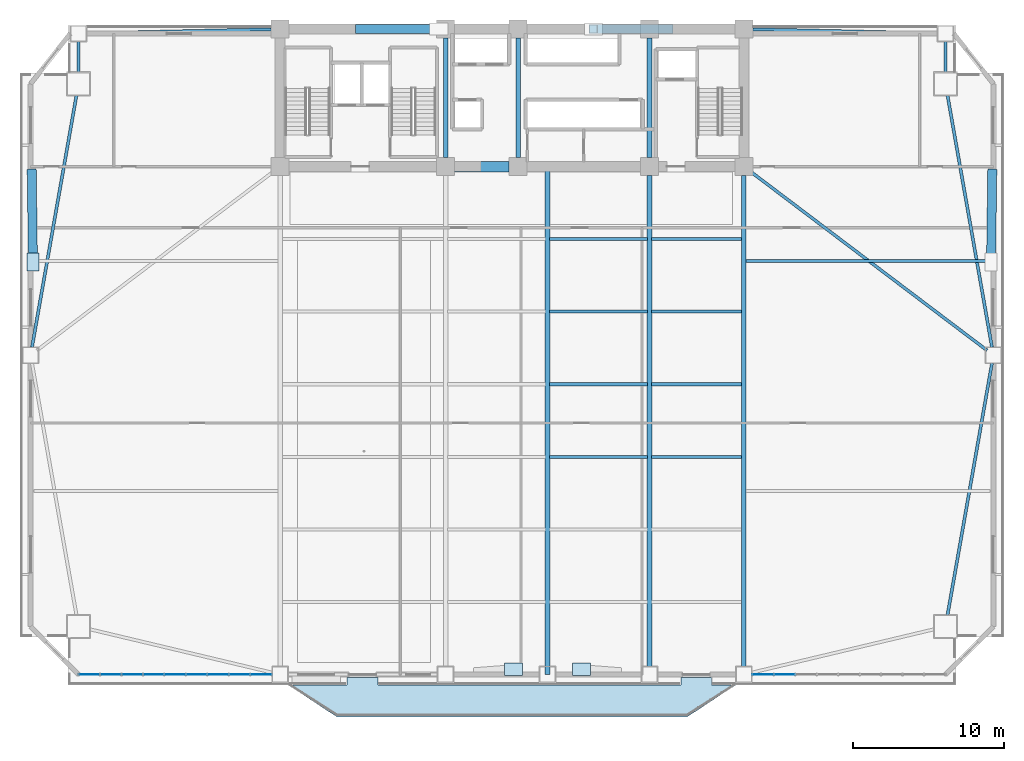
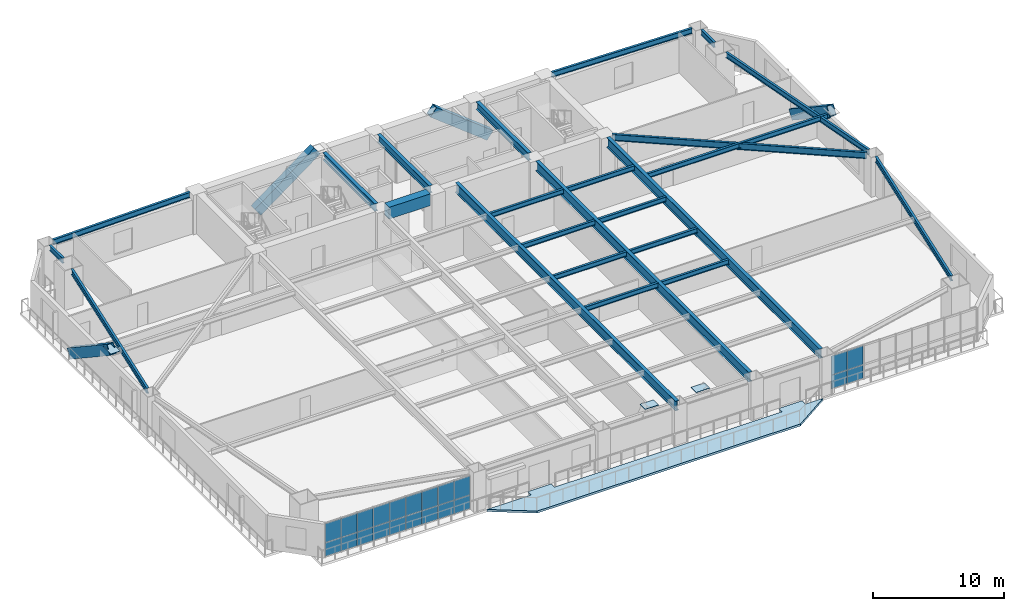
# One storey, part 7 of 17: 25 plates, 24 beams, 4 members, 1 slab, 2 elements without a shape of their own.
"""IFC4 building model written with IfcOpenShell, lengths in metres."""

from ifc_helpers import new_model, si_unit, direction, frame, origin, origin_2d, place, context, subcontext, project, spatial, polyline, rectangle, hollow_rectangle, i_section, outline, extrude, source, transform, mapped, material, layer, layer_set, material_profile, profile_set, type_object, element, aggregate, save


model = new_model("IFC4")

# Units and contexts
model_context = context("Model", 3, precision=1e-05, world=origin(), true_north=direction((0.0, 1.0)))
body_context = subcontext(model_context, "Body", "Model", "MODEL_VIEW")
ifc_project = project(units=[si_unit("LENGTHUNIT", "METRE"), si_unit("AREAUNIT", "SQUARE_METRE"), si_unit("VOLUMEUNIT", "CUBIC_METRE"), si_unit("PLANEANGLEUNIT", "RADIAN"), si_unit("MASSUNIT", "GRAM", prefix="KILO")], contexts=[model_context])

# Site, building, storey
site_placement = place(None, origin())
site = spatial("IfcSite", under=ifc_project, at=site_placement, CompositionType="ELEMENT")
building_placement = place(site_placement, origin())
building = spatial("IfcBuilding", under=site, at=building_placement, Name="Giltprow Tower", CompositionType="ELEMENT")
storey_placement = place(building_placement, frame((0.0, 0.0, 41.0)))
storey = spatial("IfcBuildingStorey", under=building, at=storey_placement, Name="L10", CompositionType="ELEMENT", Elevation=41.0)

# Beams
ifc_material_1 = material(Name="Concrete C60", Category="concrete")
ifc_material_profile_1 = material_profile(ifc_material_1, rectangle(XDim=0.699951171875, YDim=1.10009765625, at=origin_2d()), Name="RC 1100x700")
ifc_profile_set_1 = profile_set([ifc_material_profile_1], Name="Concrete C60")
beam_type_1 = type_object("IfcBeamType", Name="BM-CPL-RC1100", PredefinedType="LINTEL", material=ifc_profile_set_1)
shared_shape_1 = source(origin(), body_context, "Body", "SweptSolid", [
    extrude(rectangle(XDim=0.699951171875, YDim=1.10009765625, at=origin_2d()), origin(), (0.0, 0.0, 1.0), 3.6298828125),
])
beam_1_placement = place(storey_placement, frame((31.385009765625, 37.449951171875, 3.1298828125), z_axis=(1.0, 0.0, 0.0), x_axis=(0.0, 1.0, 0.0)))
element("IfcBeam", 1, at=beam_1_placement, inside=storey, type_object=beam_type_1, Name="L10 Core Coupling Beam CB-1", PredefinedType="LINTEL", context=body_context, shape_type="MappedRepresentation", body=[
    mapped(shared_shape_1, transform((0.0, 0.0, 0.0), x_axis=(1.0, 0.0, 0.0), y_axis=(0.0, 1.0, 0.0), z_axis=(0.0, 0.0, 1.0), scale=1.0)),
])
ifc_material_2 = material(Name="Structural steel Q355B", Category="steel")
ifc_material_profile_2 = material_profile(ifc_material_2, i_section(OverallWidth=0.300048828125, OverallDepth=0.699951171875, WebThickness=0.012939453125, FlangeThickness=0.02392578125, at=origin_2d()), Name="HN 700x300x13x24")
ifc_profile_set_2 = profile_set([ifc_material_profile_2], Name="Structural steel Q355B")
beam_type_2 = type_object("IfcBeamType", Name="BM-GIRD-HN700", PredefinedType="BEAM", material=ifc_profile_set_2)
shared_shape_2 = source(origin(), body_context, "Body", "SweptSolid", [
    extrude(i_section(OverallWidth=0.300048828125, OverallDepth=0.699951171875, WebThickness=0.012939453125, FlangeThickness=0.02392578125, at=origin_2d()), origin(), (0.0, 0.0, 1.0), 7.93017578125),
])
for number, where, z_axis, x_axis, name in (
    (2, (30.800048828125, 38.034912109375, 3.330078125), (0.0, 1.0, 0.0), (-1.0, 0.0, 0.0), "L10 Core Tie Girder M1"),
    (3, (35.60009765625, 38.034912109375, 3.330078125), (0.0, 1.0, 0.0), (-1.0, 0.0, 0.0), "L10 Core Tie Girder M2"),
    (4, (44.300048828125, 38.034912109375, 3.330078125), (0.0, 1.0, 0.0), (-1.0, 0.0, 0.0), "L10 Core Tie Girder M3"),
):
    element("IfcBeam", number, at=place(storey_placement, frame(where, z_axis=z_axis, x_axis=x_axis)), inside=storey, type_object=beam_type_2, Name=name, PredefinedType="BEAM", context=body_context, shape_type="MappedRepresentation", body=[
        mapped(shared_shape_2, transform((0.0, 0.0, 0.0), x_axis=(1.0, 0.0, 0.0), y_axis=(0.0, 1.0, 0.0), z_axis=(0.0, 0.0, 1.0), scale=1.0)),
    ])
ifc_material_profile_3 = material_profile(ifc_material_2, i_section(OverallWidth=0.199951171875, OverallDepth=0.449951171875, WebThickness=0.009033203125, FlangeThickness=0.013916015625, at=origin_2d()), Name="HN 450x200x9x14")
ifc_profile_set_3 = profile_set([ifc_material_profile_3], Name="Structural steel Q355B")
beam_type_3 = type_object("IfcBeamType", Name="BM-JOIST-HN450", PredefinedType="JOIST", material=ifc_profile_set_3)
shared_shape_3 = source(origin(), body_context, "Body", "SweptSolid", [
    extrude(i_section(OverallWidth=0.199951171875, OverallDepth=0.449951171875, WebThickness=0.009033203125, FlangeThickness=0.013916015625, at=origin_2d()), origin(), (0.0, 0.0, 1.0), 6.4599609375),
])
for number, where, z_axis, x_axis, name in (
    (5, (37.695068359375, 18.237060546875, 3.455078125), (1.0, 0.0, 0.0), (0.0, 1.0, 0.0), "L10 Composite Floor Joist 3-3"),
    (6, (37.695068359375, 23.0400390625, 3.455078125), (1.0, 0.0, 0.0), (0.0, 1.0, 0.0), "L10 Composite Floor Joist 4-3"),
    (7, (37.695068359375, 27.843017578125, 3.455078125), (1.0, 0.0, 0.0), (0.0, 1.0, 0.0), "L10 Composite Floor Joist 5-3"),
    (8, (37.695068359375, 32.64697265625, 3.455078125), (1.0, 0.0, 0.0), (0.0, 1.0, 0.0), "L10 Composite Floor Joist 6-3"),
):
    element("IfcBeam", number, at=place(storey_placement, frame(where, z_axis=z_axis, x_axis=x_axis)), inside=storey, type_object=beam_type_3, Name=name, PredefinedType="JOIST", context=body_context, shape_type="MappedRepresentation", body=[
        mapped(shared_shape_3, transform((0.0, 0.0, 0.0), x_axis=(1.0, 0.0, 0.0), y_axis=(0.0, 1.0, 0.0), z_axis=(0.0, 0.0, 1.0), scale=1.0)),
    ])
shared_shape_4 = source(origin(), body_context, "Body", "SweptSolid", [
    extrude(i_section(OverallWidth=0.199951171875, OverallDepth=0.449951171875, WebThickness=0.009033203125, FlangeThickness=0.013916015625, at=origin_2d()), origin(), (0.0, 0.0, 1.0), 5.9599609375),
])
for number, where, z_axis, x_axis, name in (
    (9, (44.445068359375, 18.237060546875, 3.455078125), (1.0, 0.0, 0.0), (0.0, 1.0, 0.0), "L10 Composite Floor Joist 3-4"),
    (10, (44.445068359375, 23.0400390625, 3.455078125), (1.0, 0.0, 0.0), (0.0, 1.0, 0.0), "L10 Composite Floor Joist 4-4"),
    (11, (44.445068359375, 27.843017578125, 3.455078125), (1.0, 0.0, 0.0), (0.0, 1.0, 0.0), "L10 Composite Floor Joist 5-4"),
    (12, (44.445068359375, 32.64697265625, 3.455078125), (1.0, 0.0, 0.0), (0.0, 1.0, 0.0), "L10 Composite Floor Joist 6-4"),
):
    element("IfcBeam", number, at=place(storey_placement, frame(where, z_axis=z_axis, x_axis=x_axis)), inside=storey, type_object=beam_type_3, Name=name, PredefinedType="JOIST", context=body_context, shape_type="MappedRepresentation", body=[
        mapped(shared_shape_4, transform((0.0, 0.0, 0.0), x_axis=(1.0, 0.0, 0.0), y_axis=(0.0, 1.0, 0.0), z_axis=(0.0, 0.0, 1.0), scale=1.0)),
    ])
ifc_material_profile_4 = material_profile(ifc_material_2, i_section(OverallWidth=0.199951171875, OverallDepth=0.5, WebThickness=0.010009765625, FlangeThickness=0.01611328125, at=origin_2d()), Name="HN 500x200x10x16")
ifc_profile_set_4 = profile_set([ifc_material_profile_4], Name="Structural steel Q355B")
beam_type_4 = type_object("IfcBeamType", Name="BM-SPAN-HN500", PredefinedType="SPANDREL", material=ifc_profile_set_4)
shared_shape_5 = source(origin(), body_context, "Body", "SweptSolid", [
    extrude(i_section(OverallWidth=0.199951171875, OverallDepth=0.5, WebThickness=0.010009765625, FlangeThickness=0.01611328125, at=origin_2d()), origin(), (0.0, 0.0, 1.0), 16.920166015625),
])
beam_2_placement = place(storey_placement, frame((64.028076171875, 7.77392578125, 3.429931640625), z_axis=(0.173984527619, 0.984748386213, 0.0), x_axis=(-0.984748386213, 0.173984527619, 0.0)))
element("IfcBeam", 13, at=beam_2_placement, inside=storey, type_object=beam_type_4, Name="L10 Perimeter Spandrel Beam MC_SE-E_MID", PredefinedType="SPANDREL", context=body_context, shape_type="MappedRepresentation", body=[
    mapped(shared_shape_5, transform((0.0, 0.0, 0.0), x_axis=(1.0, 0.0, 0.0), y_axis=(0.0, 1.0, 0.0), z_axis=(0.0, 0.0, 1.0), scale=1.0)),
])
shared_shape_6 = source(origin(), body_context, "Body", "SweptSolid", [
    extrude(i_section(OverallWidth=0.199951171875, OverallDepth=0.5, WebThickness=0.010009765625, FlangeThickness=0.01611328125, at=origin_2d()), origin(), (0.0, 0.0, 1.0), 16.921142578125),
])
for number, where, z_axis, x_axis, name in (
    (14, (66.971923828125, 25.489990234375, 3.429931640625), (-0.173974639654, 0.984750133159, 0.0), (-0.984750133159, -0.173974639654, 0.0), "L10 Perimeter Spandrel Beam E_MID-MC_NE"),
    (15, (6.3720703125, 42.153076171875, 3.429931640625), (-0.173988631052, -0.984747661213, 0.0), (0.984747661213, -0.173988631052, 0.0), "L10 Perimeter Spandrel Beam MC_NW-W_MID"),
):
    element("IfcBeam", number, at=place(storey_placement, frame(where, z_axis=z_axis, x_axis=x_axis)), inside=storey, type_object=beam_type_4, Name=name, PredefinedType="SPANDREL", context=body_context, shape_type="MappedRepresentation", body=[
        mapped(shared_shape_6, transform((0.0, 0.0, 0.0), x_axis=(1.0, 0.0, 0.0), y_axis=(0.0, 1.0, 0.0), z_axis=(0.0, 0.0, 1.0), scale=1.0)),
    ])
shared_shape_7 = source(origin(), body_context, "Body", "SweptSolid", [
    extrude(i_section(OverallWidth=0.199951171875, OverallDepth=0.5, WebThickness=0.010009765625, FlangeThickness=0.01611328125, at=origin_2d()), origin(), (0.0, 0.0, 1.0), 2.004150390625),
])
for number, where, z_axis, x_axis, name in (
    (16, (63.89111328125, 43.7109375, 3.429931640625), (0.0, 1.0, 0.0), (-1.0, 0.0, 0.0), "L10 Perimeter Spandrel Beam MC_NE-N_E"),
    (17, (6.509033203125, 45.715087890625, 3.429931640625), (0.0, -1.0, 0.0), (1.0, 0.0, 0.0), "L10 Perimeter Spandrel Beam N_W-MC_NW"),
):
    element("IfcBeam", number, at=place(storey_placement, frame(where, z_axis=z_axis, x_axis=x_axis)), inside=storey, type_object=beam_type_4, Name=name, PredefinedType="SPANDREL", context=body_context, shape_type="MappedRepresentation", body=[
        mapped(shared_shape_7, transform((0.0, 0.0, 0.0), x_axis=(1.0, 0.0, 0.0), y_axis=(0.0, 1.0, 0.0), z_axis=(0.0, 0.0, 1.0), scale=1.0)),
    ])
shared_shape_8 = source(origin(), body_context, "Body", "SweptSolid", [
    extrude(i_section(OverallWidth=0.199951171875, OverallDepth=0.5, WebThickness=0.010009765625, FlangeThickness=0.01611328125, at=origin_2d()), origin(), (0.0, 0.0, 1.0), 12.22412109375),
])
for number, where, z_axis, x_axis, name in (
    (18, (7.0439453125, 46.261962890625, 3.429931640625), (0.999746648703, 0.022508629624, 0.0), (-0.022508629624, 0.999746648703, 0.0), "L10 North Wing Spandrel W"),
    (19, (51.135009765625, 46.537109375, 3.429931640625), (0.999746648703, -0.022508629624, 0.0), (0.022508629624, 0.999746648703, 0.0), "L10 North Wing Spandrel E"),
):
    element("IfcBeam", number, at=place(storey_placement, frame(where, z_axis=z_axis, x_axis=x_axis)), inside=storey, type_object=beam_type_4, Name=name, PredefinedType="SPANDREL", context=body_context, shape_type="MappedRepresentation", body=[
        mapped(shared_shape_8, transform((0.0, 0.0, 0.0), x_axis=(1.0, 0.0, 0.0), y_axis=(0.0, 1.0, 0.0), z_axis=(0.0, 0.0, 1.0), scale=1.0)),
    ])
ifc_material_profile_5 = material_profile(ifc_material_2, i_section(OverallWidth=0.300048828125, OverallDepth=0.89990234375, WebThickness=0.01611328125, FlangeThickness=0.028076171875, at=origin_2d()), Name="HN 900x300x16x28")
ifc_profile_set_5 = profile_set([ifc_material_profile_5], Name="Structural steel Q355B")
beam_type_5 = type_object("IfcBeamType", Name="BM-GIRD-HN900", PredefinedType="BEAM", material=ifc_profile_set_5)
shared_shape_9 = source(origin(), body_context, "Body", "SweptSolid", [
    extrude(i_section(OverallWidth=0.300048828125, OverallDepth=0.89990234375, WebThickness=0.01611328125, FlangeThickness=0.028076171875, at=origin_2d()), origin(), (0.0, 0.0, 1.0), 32.5029296875),
])
for number, where, z_axis, x_axis, name in (
    (20, (44.300048828125, 4.362060546875, 3.22998046875), (0.0, 1.0, 0.0), (-1.0, 0.0, 0.0), "L10 Primary Lease Girder S3"),
    (21, (50.550048828125, 4.362060546875, 3.22998046875), (0.0, 1.0, 0.0), (-1.0, 0.0, 0.0), "L10 Primary Lease Girder S4"),
):
    element("IfcBeam", number, at=place(storey_placement, frame(where, z_axis=z_axis, x_axis=x_axis)), inside=storey, type_object=beam_type_5, Name=name, PredefinedType="BEAM", context=body_context, shape_type="MappedRepresentation", body=[
        mapped(shared_shape_9, transform((0.0, 0.0, 0.0), x_axis=(1.0, 0.0, 0.0), y_axis=(0.0, 1.0, 0.0), z_axis=(0.0, 0.0, 1.0), scale=1.0)),
    ])
shared_shape_10 = source(origin(), body_context, "Body", "SweptSolid", [
    extrude(i_section(OverallWidth=0.300048828125, OverallDepth=0.89990234375, WebThickness=0.01611328125, FlangeThickness=0.028076171875, at=origin_2d()), origin(), (0.0, 0.0, 1.0), 33.623046875),
])
beam_3_placement = place(storey_placement, frame((37.550048828125, 3.826904296875, 3.22998046875), z_axis=(0.0, 1.0, 0.0), x_axis=(-1.0, 0.0, 0.0)))
element("IfcBeam", 22, at=beam_3_placement, inside=storey, type_object=beam_type_5, Name="L10 Central Lease Girder SMID", PredefinedType="BEAM", context=body_context, shape_type="MappedRepresentation", body=[
    mapped(shared_shape_10, transform((0.0, 0.0, 0.0), x_axis=(1.0, 0.0, 0.0), y_axis=(0.0, 1.0, 0.0), z_axis=(0.0, 0.0, 1.0), scale=1.0)),
])
ifc_material_profile_6 = material_profile(ifc_material_2, i_section(OverallWidth=0.199951171875, OverallDepth=0.60009765625, WebThickness=0.010986328125, FlangeThickness=0.01708984375, at=origin_2d()), Name="HN 600x200x11x17")
ifc_profile_set_6 = profile_set([ifc_material_profile_6], Name="Structural steel Q355B")
beam_type_6 = type_object("IfcBeamType", Name="BM-GIRD-HN600", PredefinedType="BEAM", material=ifc_profile_set_6)
shared_shape_11 = source(origin(), body_context, "Body", "SweptSolid", [
    extrude(i_section(OverallWidth=0.199951171875, OverallDepth=0.60009765625, WebThickness=0.010986328125, FlangeThickness=0.01708984375, at=origin_2d()), origin(), (0.0, 0.0, 1.0), 19.58349609375),
])
beam_4_placement = place(storey_placement, frame((66.637939453125, 25.285888671875, 3.3798828125), z_axis=(-0.797655674311, 0.60311311148, 0.0), x_axis=(-0.60311311148, -0.797655674311, 0.0)))
element("IfcBeam", 23, at=beam_4_placement, inside=storey, type_object=beam_type_6, Name="L10 East Wing Primary Girder", PredefinedType="BEAM", context=body_context, shape_type="MappedRepresentation", body=[
    mapped(shared_shape_11, transform((0.0, 0.0, 0.0), x_axis=(1.0, 0.0, 0.0), y_axis=(0.0, 1.0, 0.0), z_axis=(0.0, 0.0, 1.0), scale=1.0)),
])
shared_shape_12 = source(origin(), body_context, "Body", "SweptSolid", [
    extrude(i_section(OverallWidth=0.199951171875, OverallDepth=0.449951171875, WebThickness=0.009033203125, FlangeThickness=0.013916015625, at=origin_2d()), origin(), (0.0, 0.0, 1.0), 16.14990234375),
])
beam_5_placement = place(storey_placement, frame((50.695068359375, 31.20703125, 3.455078125), z_axis=(1.0, 0.0, 0.0), x_axis=(0.0, 1.0, 0.0)))
element("IfcBeam", 24, at=beam_5_placement, inside=storey, type_object=beam_type_3, Name="L10 East Wing Floor Joist 2", PredefinedType="JOIST", context=body_context, shape_type="MappedRepresentation", body=[
    mapped(shared_shape_12, transform((0.0, 0.0, 0.0), x_axis=(1.0, 0.0, 0.0), y_axis=(0.0, 1.0, 0.0), z_axis=(0.0, 0.0, 1.0), scale=1.0)),
])

# Members
ifc_material_3 = material(Name="Structural steel Q420GJC", Category="steel")
ifc_material_profile_7 = material_profile(ifc_material_3, hollow_rectangle(XDim=0.60009765625, YDim=0.89990234375, WallThickness=0.0400390625, at=origin_2d()), Name="RHS 900x600x40")
ifc_profile_set_7 = profile_set([ifc_material_profile_7], Name="Structural steel Q420GJC")
member_type = type_object("IfcMemberType", Name="MBR-MEGA-RHS900", PredefinedType="BRACE", material=ifc_profile_set_7)
shared_shape_13 = source(origin(), body_context, "Body", "SweptSolid", [
    extrude(hollow_rectangle(XDim=0.60009765625, YDim=0.89990234375, WallThickness=0.0400390625, at=origin_2d()), origin(), (0.0, 0.0, 1.0), 6.5400390625),
])
member_1_placement = place(storey_placement, frame((25.10009765625, 46.550048828125, -0.139892578125), z_axis=(0.802750995836, 0.0, 0.596314379068), x_axis=(0.0, 1.0, 0.0)))
element("IfcMember", 25, at=member_1_placement, inside=storey, type_object=member_type, Name="L10 Chevron Mega-Brace N-L", PredefinedType="BRACE", context=body_context, shape_type="MappedRepresentation", body=[
    mapped(shared_shape_13, transform((0.0, 0.0, 0.0), x_axis=(1.0, 0.0, 0.0), y_axis=(0.0, 1.0, 0.0), z_axis=(0.0, 0.0, 1.0), scale=1.0)),
])
shared_shape_14 = source(origin(), body_context, "Body", "SweptSolid", [
    extrude(hollow_rectangle(XDim=0.60009765625, YDim=0.89990234375, WallThickness=0.0400390625, at=origin_2d()), origin(), (0.0, 0.0, 1.0), 6.328369140625),
])
member_2_placement = place(storey_placement, frame((45.56689453125, 46.550048828125, -0.139892578125), z_axis=(-0.787545703669, 0.0, 0.616256249163), x_axis=(0.0, -1.0, 0.0)))
element("IfcMember", 26, at=member_2_placement, inside=storey, type_object=member_type, Name="L10 Chevron Mega-Brace N-R", PredefinedType="BRACE", context=body_context, shape_type="MappedRepresentation", body=[
    mapped(shared_shape_14, transform((0.0, 0.0, 0.0), x_axis=(1.0, 0.0, 0.0), y_axis=(0.0, 1.0, 0.0), z_axis=(0.0, 0.0, 1.0), scale=1.0)),
])
shared_shape_15 = source(origin(), body_context, "Body", "SweptSolid", [
    extrude(hollow_rectangle(XDim=0.60009765625, YDim=0.89990234375, WallThickness=0.0400390625, at=origin_2d()), origin(), (0.0, 0.0, 1.0), 7.072021484375),
])
for number, where, z_axis, x_axis, name in (
    (27, (3.4130859375, 37.02587890625, 0.0), (0.011150698342, -0.834127471662, 0.551458994799), (0.999910658943, 0.013366904347, 0.0), "L10 Chevron Mega-Brace W-R"),
    (28, (66.987060546875, 37.02587890625, 0.0), (-0.011185216316, -0.83412715007, 0.551458782188), (0.999910104966, -0.013408280524, 0.0), "L10 Chevron Mega-Brace E-R"),
):
    element("IfcMember", number, at=place(storey_placement, frame(where, z_axis=z_axis, x_axis=x_axis)), inside=storey, type_object=member_type, Name=name, PredefinedType="BRACE", context=body_context, shape_type="MappedRepresentation", body=[
        mapped(shared_shape_15, transform((0.0, 0.0, 0.0), x_axis=(1.0, 0.0, 0.0), y_axis=(0.0, 1.0, 0.0), z_axis=(0.0, 0.0, 1.0), scale=1.0)),
    ])

# Slab
ifc_material_4 = material(Name="Concrete C40", Category="concrete")
ifc_layer_1 = layer(ifc_material_4, 0.199951171875, Name="Concrete C40")
ifc_layer_set_1 = layer_set([ifc_layer_1], Name="Concrete C40")
slab_type = type_object("IfcSlabType", Name="SLB-BALC-BRONZE-200", PredefinedType="FLOOR", material=ifc_layer_set_1)
slab_placement = place(storey_placement, frame((0.0, 0.0, -0.199951171875)))
element("IfcSlab", 29, at=slab_placement, inside=storey, type_object=slab_type, Name="L10 Bronze Prow Waterfront Balcony Slab", PredefinedType="FLOOR", context=body_context, shape_type="SweptSolid", body=[
    extrude(outline(polyline([(50.0, 3.126953125), (46.800048828125, 1.027099609375), (23.60009765625, 1.027099609375), (20.39990234375, 3.126953125), (24.280029296875, 3.126953125), (24.280029296875, 3.626953125), (26.320068359375, 3.626953125), (26.320068359375, 3.126953125), (46.3798828125, 3.126953125), (46.3798828125, 3.626953125), (48.419921875, 3.626953125), (48.419921875, 3.126953125), (50.0, 3.126953125)])), origin(), (0.0, 0.0, 1.0), 0.199951171875),
])

# Plates
plate_type_1 = type_object("IfcPlateType", Name="PLT-CAP-SEAL", PredefinedType="USERDEFINED", material=ifc_material_3)
shared_shape_16 = source(origin(), body_context, "Body", "SweptSolid", [
    extrude(rectangle(XDim=1.199951171875, YDim=0.800048828125, at=origin_2d()), origin(), (0.0, 0.0, 1.0), 0.034912109375),
])
for number, where, z_axis, x_axis, name in (
    (30, (35.300048828125, 4.177978515625, 3.88232421875), (0.0, 0.0, 1.0), (1.0, 0.0, 0.0), "Mega-Brace Node L10-S-LB"),
    (31, (39.800048828125, 4.177978515625, 3.88232421875), (0.0, 0.0, 1.0), (1.0, 0.0, 0.0), "Mega-Brace Node L10-S-RB"),
    (32, (3.491943359375, 31.126953125, 3.88232421875), (0.0, 0.0, 1.0), (0.0, 1.0, 0.0), "Mega-Brace Node L10-W-RB"),
):
    element("IfcPlate", number, at=place(storey_placement, frame(where, z_axis=z_axis, x_axis=x_axis)), inside=storey, type_object=plate_type_1, Name=name, ObjectType="SPLICE", PredefinedType="USERDEFINED", context=body_context, shape_type="MappedRepresentation", body=[
        mapped(shared_shape_16, transform((0.0, 0.0, 0.0), x_axis=(1.0, 0.0, 0.0), y_axis=(0.0, 1.0, 0.0), z_axis=(0.0, 0.0, 1.0), scale=1.0)),
    ])

# Curtain wall, plates
ifc_material_5 = material(Name="Anodized bronze", Category="metal")
ifc_layer_2 = layer(ifc_material_5, 0.179931640625, Name="Anodized bronze")
ifc_layer_set_2 = layer_set([ifc_layer_2], Name="Anodized bronze")
curtain_wall_type = type_object("IfcCurtainWallType", Name="CW-OFF-RECESSED", PredefinedType="NOTDEFINED", material=ifc_layer_set_2)
curtain_wall_1_placement = place(storey_placement, origin())
curtain_wall_1 = element("IfcCurtainWall", 33, at=curtain_wall_1_placement, inside=storey, type_object=curtain_wall_type, Name="L10 South Recessed Curtain Wall 1", PredefinedType="NOTDEFINED")
ifc_material_6 = material(Name="Insulated glass", Category="glass")
plate_type_2 = type_object("IfcPlateType", Name="CW-PANEL-IGU-28", PredefinedType="CURTAIN_PANEL", material=ifc_material_6)
shared_shape_17 = source(origin(), body_context, "Body", "SweptSolid", [
    extrude(rectangle(XDim=1.39111328125, YDim=0.028076171875, at=origin_2d()), origin(), (0.0, 0.0, 1.0), 1.259033203125),
])
plate_1_placement = place(storey_placement, frame((7.219970703125, 3.826904296875, 0.0537109375), z_axis=(0.0, 0.0, 1.0), x_axis=(1.0, 0.0, 0.0)))
plate_1 = element("IfcPlate", 34, at=plate_1_placement, type_object=plate_type_2, Name="L10 South Recessed Curtain Wall 1 Glazing Panel 1-1", PredefinedType="CURTAIN_PANEL", context=body_context, shape_type="MappedRepresentation", body=[
    mapped(shared_shape_17, transform((0.0, 0.0, 0.0), x_axis=(1.0, 0.0, 0.0), y_axis=(0.0, 1.0, 0.0), z_axis=(0.0, 0.0, 1.0), scale=1.0)),
])
plate_2_placement = place(storey_placement, frame((8.64111328125, 3.826904296875, 0.0537109375), z_axis=(0.0, 0.0, 1.0), x_axis=(1.0, 0.0, 0.0)))
plate_2 = element("IfcPlate", 35, at=plate_2_placement, type_object=plate_type_2, Name="L10 South Recessed Curtain Wall 1 Glazing Panel 2-1", PredefinedType="CURTAIN_PANEL", context=body_context, shape_type="MappedRepresentation", body=[
    mapped(shared_shape_17, transform((0.0, 0.0, 0.0), x_axis=(1.0, 0.0, 0.0), y_axis=(0.0, 1.0, 0.0), z_axis=(0.0, 0.0, 1.0), scale=1.0)),
])
plate_3_placement = place(storey_placement, frame((10.06201171875, 3.826904296875, 0.0537109375), z_axis=(0.0, 0.0, 1.0), x_axis=(1.0, 0.0, 0.0)))
plate_3 = element("IfcPlate", 36, at=plate_3_placement, type_object=plate_type_2, Name="L10 South Recessed Curtain Wall 1 Glazing Panel 3-1", PredefinedType="CURTAIN_PANEL", context=body_context, shape_type="MappedRepresentation", body=[
    mapped(shared_shape_17, transform((0.0, 0.0, 0.0), x_axis=(1.0, 0.0, 0.0), y_axis=(0.0, 1.0, 0.0), z_axis=(0.0, 0.0, 1.0), scale=1.0)),
])
plate_4_placement = place(storey_placement, frame((11.48291015625, 3.826904296875, 0.0537109375), z_axis=(0.0, 0.0, 1.0), x_axis=(1.0, 0.0, 0.0)))
plate_4 = element("IfcPlate", 37, at=plate_4_placement, type_object=plate_type_2, Name="L10 South Recessed Curtain Wall 1 Glazing Panel 4-1", PredefinedType="CURTAIN_PANEL", context=body_context, shape_type="MappedRepresentation", body=[
    mapped(shared_shape_17, transform((0.0, 0.0, 0.0), x_axis=(1.0, 0.0, 0.0), y_axis=(0.0, 1.0, 0.0), z_axis=(0.0, 0.0, 1.0), scale=1.0)),
])
plate_5_placement = place(storey_placement, frame((12.905029296875, 3.826904296875, 0.0537109375), z_axis=(0.0, 0.0, 1.0), x_axis=(1.0, 0.0, 0.0)))
plate_5 = element("IfcPlate", 38, at=plate_5_placement, type_object=plate_type_2, Name="L10 South Recessed Curtain Wall 1 Glazing Panel 5-1", PredefinedType="CURTAIN_PANEL", context=body_context, shape_type="MappedRepresentation", body=[
    mapped(shared_shape_17, transform((0.0, 0.0, 0.0), x_axis=(1.0, 0.0, 0.0), y_axis=(0.0, 1.0, 0.0), z_axis=(0.0, 0.0, 1.0), scale=1.0)),
])
plate_6_placement = place(storey_placement, frame((14.325927734375, 3.826904296875, 0.0537109375), z_axis=(0.0, 0.0, 1.0), x_axis=(1.0, 0.0, 0.0)))
plate_6 = element("IfcPlate", 39, at=plate_6_placement, type_object=plate_type_2, Name="L10 South Recessed Curtain Wall 1 Glazing Panel 6-1", PredefinedType="CURTAIN_PANEL", context=body_context, shape_type="MappedRepresentation", body=[
    mapped(shared_shape_17, transform((0.0, 0.0, 0.0), x_axis=(1.0, 0.0, 0.0), y_axis=(0.0, 1.0, 0.0), z_axis=(0.0, 0.0, 1.0), scale=1.0)),
])
plate_7_placement = place(storey_placement, frame((15.7470703125, 3.826904296875, 0.0537109375), z_axis=(0.0, 0.0, 1.0), x_axis=(1.0, 0.0, 0.0)))
plate_7 = element("IfcPlate", 40, at=plate_7_placement, type_object=plate_type_2, Name="L10 South Recessed Curtain Wall 1 Glazing Panel 7-1", PredefinedType="CURTAIN_PANEL", context=body_context, shape_type="MappedRepresentation", body=[
    mapped(shared_shape_17, transform((0.0, 0.0, 0.0), x_axis=(1.0, 0.0, 0.0), y_axis=(0.0, 1.0, 0.0), z_axis=(0.0, 0.0, 1.0), scale=1.0)),
])
plate_8_placement = place(storey_placement, frame((17.16796875, 3.826904296875, 0.0537109375), z_axis=(0.0, 0.0, 1.0), x_axis=(1.0, 0.0, 0.0)))
plate_8 = element("IfcPlate", 41, at=plate_8_placement, type_object=plate_type_2, Name="L10 South Recessed Curtain Wall 1 Glazing Panel 8-1", PredefinedType="CURTAIN_PANEL", context=body_context, shape_type="MappedRepresentation", body=[
    mapped(shared_shape_17, transform((0.0, 0.0, 0.0), x_axis=(1.0, 0.0, 0.0), y_axis=(0.0, 1.0, 0.0), z_axis=(0.0, 0.0, 1.0), scale=1.0)),
])
plate_9_placement = place(storey_placement, frame((18.589111328125, 3.826904296875, 0.0537109375), z_axis=(0.0, 0.0, 1.0), x_axis=(1.0, 0.0, 0.0)))
plate_9 = element("IfcPlate", 42, at=plate_9_placement, type_object=plate_type_2, Name="L10 South Recessed Curtain Wall 1 Glazing Panel 9-1", PredefinedType="CURTAIN_PANEL", context=body_context, shape_type="MappedRepresentation", body=[
    mapped(shared_shape_17, transform((0.0, 0.0, 0.0), x_axis=(1.0, 0.0, 0.0), y_axis=(0.0, 1.0, 0.0), z_axis=(0.0, 0.0, 1.0), scale=1.0)),
])

curtain_wall_2_placement = place(storey_placement, origin())
curtain_wall_2 = element("IfcCurtainWall", 43, at=curtain_wall_2_placement, inside=storey, type_object=curtain_wall_type, Name="L10 South Recessed Curtain Wall 6", PredefinedType="NOTDEFINED")
plate_10_placement = place(storey_placement, frame((51.81103515625, 3.826904296875, 0.0537109375), z_axis=(0.0, 0.0, 1.0), x_axis=(1.0, 0.0, 0.0)))
plate_10 = element("IfcPlate", 44, at=plate_10_placement, type_object=plate_type_2, Name="L10 South Recessed Curtain Wall 6 Glazing Panel 1-1", PredefinedType="CURTAIN_PANEL", context=body_context, shape_type="MappedRepresentation", body=[
    mapped(shared_shape_17, transform((0.0, 0.0, 0.0), x_axis=(1.0, 0.0, 0.0), y_axis=(0.0, 1.0, 0.0), z_axis=(0.0, 0.0, 1.0), scale=1.0)),
])
plate_11_placement = place(storey_placement, frame((53.23193359375, 3.826904296875, 0.0537109375), z_axis=(0.0, 0.0, 1.0), x_axis=(1.0, 0.0, 0.0)))
plate_11 = element("IfcPlate", 45, at=plate_11_placement, type_object=plate_type_2, Name="L10 South Recessed Curtain Wall 6 Glazing Panel 2-1", PredefinedType="CURTAIN_PANEL", context=body_context, shape_type="MappedRepresentation", body=[
    mapped(shared_shape_17, transform((0.0, 0.0, 0.0), x_axis=(1.0, 0.0, 0.0), y_axis=(0.0, 1.0, 0.0), z_axis=(0.0, 0.0, 1.0), scale=1.0)),
])

# Plate
shared_shape_18 = source(origin(), body_context, "Body", "SweptSolid", [
    extrude(rectangle(XDim=1.39111328125, YDim=0.028076171875, at=origin_2d()), origin(), (0.0, 0.0, 1.0), 1.764892578125),
])
plate_12_placement = place(storey_placement, frame((7.219970703125, 3.826904296875, 1.341796875), z_axis=(0.0, 0.0, 1.0), x_axis=(1.0, 0.0, 0.0)))
plate_12 = element("IfcPlate", 46, at=plate_12_placement, type_object=plate_type_2, Name="L10 South Recessed Curtain Wall 1 Glazing Panel 1-2", PredefinedType="CURTAIN_PANEL", context=body_context, shape_type="MappedRepresentation", body=[
    mapped(shared_shape_18, transform((0.0, 0.0, 0.0), x_axis=(1.0, 0.0, 0.0), y_axis=(0.0, 1.0, 0.0), z_axis=(0.0, 0.0, 1.0), scale=1.0)),
])

plate_13_placement = place(storey_placement, frame((8.64111328125, 3.826904296875, 1.341796875), z_axis=(0.0, 0.0, 1.0), x_axis=(1.0, 0.0, 0.0)))
plate_13 = element("IfcPlate", 47, at=plate_13_placement, type_object=plate_type_2, Name="L10 South Recessed Curtain Wall 1 Glazing Panel 2-2", PredefinedType="CURTAIN_PANEL", context=body_context, shape_type="MappedRepresentation", body=[
    mapped(shared_shape_18, transform((0.0, 0.0, 0.0), x_axis=(1.0, 0.0, 0.0), y_axis=(0.0, 1.0, 0.0), z_axis=(0.0, 0.0, 1.0), scale=1.0)),
])

plate_14_placement = place(storey_placement, frame((10.06201171875, 3.826904296875, 1.341796875), z_axis=(0.0, 0.0, 1.0), x_axis=(1.0, 0.0, 0.0)))
plate_14 = element("IfcPlate", 48, at=plate_14_placement, type_object=plate_type_2, Name="L10 South Recessed Curtain Wall 1 Glazing Panel 3-2", PredefinedType="CURTAIN_PANEL", context=body_context, shape_type="MappedRepresentation", body=[
    mapped(shared_shape_18, transform((0.0, 0.0, 0.0), x_axis=(1.0, 0.0, 0.0), y_axis=(0.0, 1.0, 0.0), z_axis=(0.0, 0.0, 1.0), scale=1.0)),
])

plate_15_placement = place(storey_placement, frame((11.48291015625, 3.826904296875, 1.341796875), z_axis=(0.0, 0.0, 1.0), x_axis=(1.0, 0.0, 0.0)))
plate_15 = element("IfcPlate", 49, at=plate_15_placement, type_object=plate_type_2, Name="L10 South Recessed Curtain Wall 1 Glazing Panel 4-2", PredefinedType="CURTAIN_PANEL", context=body_context, shape_type="MappedRepresentation", body=[
    mapped(shared_shape_18, transform((0.0, 0.0, 0.0), x_axis=(1.0, 0.0, 0.0), y_axis=(0.0, 1.0, 0.0), z_axis=(0.0, 0.0, 1.0), scale=1.0)),
])

plate_16_placement = place(storey_placement, frame((12.905029296875, 3.826904296875, 1.341796875), z_axis=(0.0, 0.0, 1.0), x_axis=(1.0, 0.0, 0.0)))
plate_16 = element("IfcPlate", 50, at=plate_16_placement, type_object=plate_type_2, Name="L10 South Recessed Curtain Wall 1 Glazing Panel 5-2", PredefinedType="CURTAIN_PANEL", context=body_context, shape_type="MappedRepresentation", body=[
    mapped(shared_shape_18, transform((0.0, 0.0, 0.0), x_axis=(1.0, 0.0, 0.0), y_axis=(0.0, 1.0, 0.0), z_axis=(0.0, 0.0, 1.0), scale=1.0)),
])

plate_17_placement = place(storey_placement, frame((14.325927734375, 3.826904296875, 1.341796875), z_axis=(0.0, 0.0, 1.0), x_axis=(1.0, 0.0, 0.0)))
plate_17 = element("IfcPlate", 51, at=plate_17_placement, type_object=plate_type_2, Name="L10 South Recessed Curtain Wall 1 Glazing Panel 6-2", PredefinedType="CURTAIN_PANEL", context=body_context, shape_type="MappedRepresentation", body=[
    mapped(shared_shape_18, transform((0.0, 0.0, 0.0), x_axis=(1.0, 0.0, 0.0), y_axis=(0.0, 1.0, 0.0), z_axis=(0.0, 0.0, 1.0), scale=1.0)),
])

plate_18_placement = place(storey_placement, frame((15.7470703125, 3.826904296875, 1.341796875), z_axis=(0.0, 0.0, 1.0), x_axis=(1.0, 0.0, 0.0)))
plate_18 = element("IfcPlate", 52, at=plate_18_placement, type_object=plate_type_2, Name="L10 South Recessed Curtain Wall 1 Glazing Panel 7-2", PredefinedType="CURTAIN_PANEL", context=body_context, shape_type="MappedRepresentation", body=[
    mapped(shared_shape_18, transform((0.0, 0.0, 0.0), x_axis=(1.0, 0.0, 0.0), y_axis=(0.0, 1.0, 0.0), z_axis=(0.0, 0.0, 1.0), scale=1.0)),
])

plate_19_placement = place(storey_placement, frame((17.16796875, 3.826904296875, 1.341796875), z_axis=(0.0, 0.0, 1.0), x_axis=(1.0, 0.0, 0.0)))
plate_19 = element("IfcPlate", 53, at=plate_19_placement, type_object=plate_type_2, Name="L10 South Recessed Curtain Wall 1 Glazing Panel 8-2", PredefinedType="CURTAIN_PANEL", context=body_context, shape_type="MappedRepresentation", body=[
    mapped(shared_shape_18, transform((0.0, 0.0, 0.0), x_axis=(1.0, 0.0, 0.0), y_axis=(0.0, 1.0, 0.0), z_axis=(0.0, 0.0, 1.0), scale=1.0)),
])

plate_20_placement = place(storey_placement, frame((18.589111328125, 3.826904296875, 1.341796875), z_axis=(0.0, 0.0, 1.0), x_axis=(1.0, 0.0, 0.0)))
plate_20 = element("IfcPlate", 54, at=plate_20_placement, type_object=plate_type_2, Name="L10 South Recessed Curtain Wall 1 Glazing Panel 9-2", PredefinedType="CURTAIN_PANEL", context=body_context, shape_type="MappedRepresentation", body=[
    mapped(shared_shape_18, transform((0.0, 0.0, 0.0), x_axis=(1.0, 0.0, 0.0), y_axis=(0.0, 1.0, 0.0), z_axis=(0.0, 0.0, 1.0), scale=1.0)),
])

aggregate(curtain_wall_1, [plate_1, plate_12, plate_2, plate_13, plate_3, plate_14, plate_4, plate_15, plate_5, plate_16, plate_6, plate_17, plate_7, plate_18, plate_8, plate_19, plate_9, plate_20])

plate_21_placement = place(storey_placement, frame((51.81103515625, 3.826904296875, 1.341796875), z_axis=(0.0, 0.0, 1.0), x_axis=(1.0, 0.0, 0.0)))
plate_21 = element("IfcPlate", 55, at=plate_21_placement, type_object=plate_type_2, Name="L10 South Recessed Curtain Wall 6 Glazing Panel 1-2", PredefinedType="CURTAIN_PANEL", context=body_context, shape_type="MappedRepresentation", body=[
    mapped(shared_shape_18, transform((0.0, 0.0, 0.0), x_axis=(1.0, 0.0, 0.0), y_axis=(0.0, 1.0, 0.0), z_axis=(0.0, 0.0, 1.0), scale=1.0)),
])

plate_22_placement = place(storey_placement, frame((53.23193359375, 3.826904296875, 1.341796875), z_axis=(0.0, 0.0, 1.0), x_axis=(1.0, 0.0, 0.0)))
plate_22 = element("IfcPlate", 56, at=plate_22_placement, type_object=plate_type_2, Name="L10 South Recessed Curtain Wall 6 Glazing Panel 2-2", PredefinedType="CURTAIN_PANEL", context=body_context, shape_type="MappedRepresentation", body=[
    mapped(shared_shape_18, transform((0.0, 0.0, 0.0), x_axis=(1.0, 0.0, 0.0), y_axis=(0.0, 1.0, 0.0), z_axis=(0.0, 0.0, 1.0), scale=1.0)),
])

aggregate(curtain_wall_2, [plate_10, plate_21, plate_11, plate_22])

save(model, "model.ifc")
